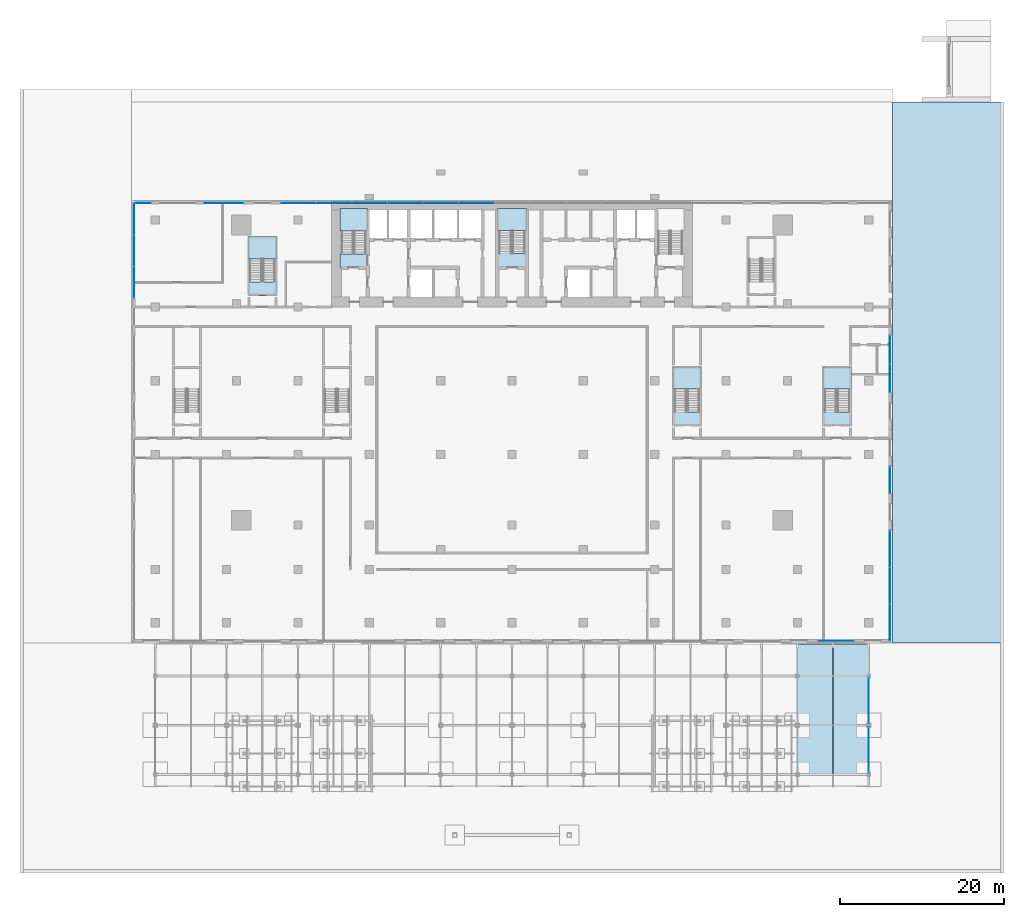
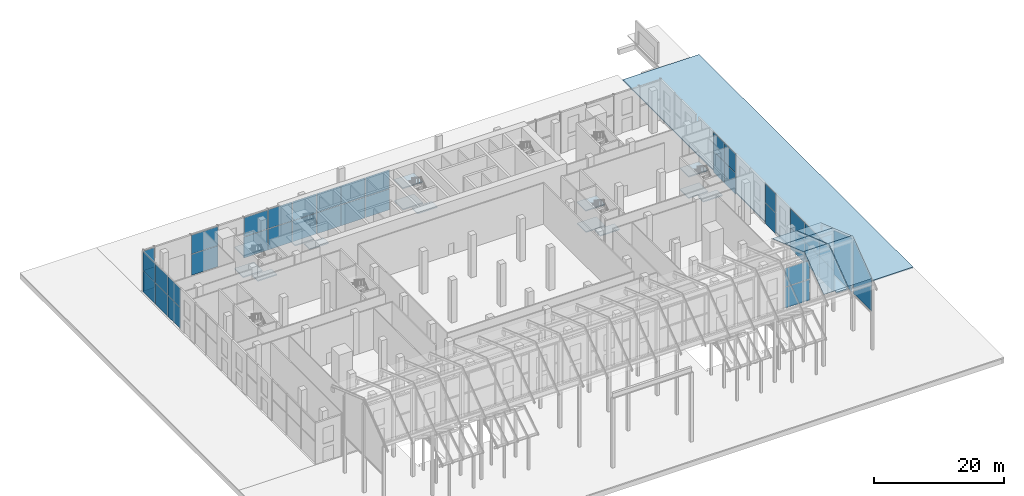
# One storey, part 19 of 31: 44 plates, 16 slabs, 13 elements without a shape of their own.
"""IFC4 building model written with IfcOpenShell, lengths in metres."""

from ifc_helpers import new_model, si_unit, direction, frame, origin, origin_2d, place, context, subcontext, project, spatial, polyline, rectangle, outline, extrude, material, layer, layer_set, layer_usage, type_object, element, aggregate, save


model = new_model("IFC4")

# Units and contexts
model_context = context("Model", 3, precision=1e-05, world=origin(), true_north=direction((0.0, 1.0)))
body_context = subcontext(model_context, "Body", "Model", "MODEL_VIEW")
ifc_project = project(units=[si_unit("LENGTHUNIT", "METRE"), si_unit("AREAUNIT", "SQUARE_METRE"), si_unit("VOLUMEUNIT", "CUBIC_METRE"), si_unit("PLANEANGLEUNIT", "RADIAN"), si_unit("MASSUNIT", "GRAM", prefix="KILO")], contexts=[model_context])

# Site, building, storey
site_placement = place(None, origin())
site = spatial("IfcSite", under=ifc_project, at=site_placement, CompositionType="ELEMENT")
building_placement = place(site_placement, origin())
building = spatial("IfcBuilding", under=site, at=building_placement, Name="Bicima Exchange Tower", CompositionType="ELEMENT")
storey_placement = place(building_placement, origin())
storey = spatial("IfcBuildingStorey", under=building, at=storey_placement, Name="L00", CompositionType="ELEMENT", Elevation=0.0)

# Slab
ifc_material_1 = material(Name="Granite paving", Category="masonry")
ifc_layer_1 = layer(ifc_material_1, 0.2)
ifc_layer_set_1 = layer_set([ifc_layer_1], Name="Granite paving")
ifc_layer_usage = layer_usage(ifc_layer_set_1, "AXIS3", "POSITIVE", 0.0)
slab_type_1 = type_object("IfcSlabType", Name="Granite paving 200", PredefinedType="USERDEFINED", material=ifc_layer_set_1)
slab_1_placement = place(storey_placement, frame((0.0, 0.0, -0.199951171875)))
element("IfcSlab", 1, at=slab_1_placement, inside=storey, type_object=slab_type_1, material=ifc_layer_usage, Name="Paving east", ObjectType="PAVING", PredefinedType="USERDEFINED", context=body_context, shape_type="SweptSolid", body=[
    extrude(outline(polyline([(60.0, -54.0), (60.0, 12.0), (46.39990234375, 12.0), (46.39990234375, -54.0), (60.0, -54.0)])), origin(), (0.0, 0.0, 1.0), 0.199951171875),
])

# Curtain wall, plates
ifc_material_2 = material(Name="Stainless steel", Category="steel")
curtain_wall_type_1 = type_object("IfcCurtainWallType", Name="Hall structural glazing", PredefinedType="NOTDEFINED", material=ifc_material_2)
curtain_wall_1_placement = place(storey_placement, origin())
curtain_wall_1 = element("IfcCurtainWall", 2, at=curtain_wall_1_placement, inside=storey, type_object=curtain_wall_type_1, Name="Podium glazing L00 south 20", PredefinedType="NOTDEFINED")
ifc_material_3 = material(Name="Clear low-iron glass", Category="glass")
ifc_layer_2 = layer(ifc_material_3, 0.0439453125)
ifc_layer_set_2 = layer_set([ifc_layer_2], Name="Clear low-iron glass")
plate_type_1 = type_object("IfcPlateType", Name="Hall structural glazing glass panel 44", PredefinedType="CURTAIN_PANEL", material=ifc_layer_set_2)
plate_1_placement = place(storey_placement, frame((39.5, -53.699951171875, 0.0), z_axis=(0.0, 0.0, 1.0), x_axis=(1.0, 0.0, 0.0)))
plate_1 = element("IfcPlate", 3, at=plate_1_placement, type_object=plate_type_1, Name="Hall structural glazing panel 1.1", PredefinedType="CURTAIN_PANEL", context=body_context, shape_type="SweptSolid", body=[
    extrude(rectangle(XDim=4.340087890625, YDim=0.0439453125, at=origin_2d()), origin(), (0.0, 0.0, 1.0), 3.89990234375),
])
plate_2_placement = place(storey_placement, frame((39.5, -53.699951171875, 4.0), z_axis=(0.0, 0.0, 1.0), x_axis=(1.0, 0.0, 0.0)))
plate_2 = element("IfcPlate", 4, at=plate_2_placement, type_object=plate_type_1, Name="Hall structural glazing panel 1.2", PredefinedType="CURTAIN_PANEL", context=body_context, shape_type="SweptSolid", body=[
    extrude(rectangle(XDim=4.340087890625, YDim=0.0439453125, at=origin_2d()), origin(), (0.0, 0.0, 1.0), 3.5),
])
aggregate(curtain_wall_1, [plate_1, plate_2])

ifc_material_4 = material(Name="Anodised bronze aluminium", Category="aluminium")
curtain_wall_type_2 = type_object("IfcCurtainWallType", Name="Lobby glazing", PredefinedType="NOTDEFINED", material=ifc_material_4)
curtain_wall_2_placement = place(storey_placement, origin())
curtain_wall_2 = element("IfcCurtainWall", 5, at=curtain_wall_2_placement, inside=storey, type_object=curtain_wall_type_2, Name="Podium glazing L00 east 1", PredefinedType="NOTDEFINED")
ifc_layer_3 = layer(ifc_material_3, 0.035888671875)
ifc_layer_set_3 = layer_set([ifc_layer_3], Name="Clear low-iron glass")
plate_type_2 = type_object("IfcPlateType", Name="Lobby glazing glass panel 36", PredefinedType="CURTAIN_PANEL", material=ifc_layer_set_3)
plate_3_placement = place(storey_placement, frame((46.10009765625, -51.438232421875, 0.0), z_axis=(0.0, 0.0, 1.0), x_axis=(0.0, 1.0, 0.0)))
plate_3 = element("IfcPlate", 6, at=plate_3_placement, type_object=plate_type_2, Name="Lobby glazing panel 1.1", PredefinedType="CURTAIN_PANEL", context=body_context, shape_type="SweptSolid", body=[
    extrude(rectangle(XDim=4.4033203125, YDim=0.035888671875, at=origin_2d()), origin(), (0.0, 0.0, 1.0), 3.929931640625),
])
plate_4_placement = place(storey_placement, frame((46.10009765625, -51.438232421875, 4.0), z_axis=(0.0, 0.0, 1.0), x_axis=(0.0, 1.0, 0.0)))
plate_4 = element("IfcPlate", 7, at=plate_4_placement, type_object=plate_type_2, Name="Lobby glazing panel 1.2", PredefinedType="CURTAIN_PANEL", context=body_context, shape_type="SweptSolid", body=[
    extrude(rectangle(XDim=4.4033203125, YDim=0.035888671875, at=origin_2d()), origin(), (0.0, 0.0, 1.0), 3.56005859375),
])
plate_5_placement = place(storey_placement, frame((46.10009765625, -46.97509765625, 0.0), z_axis=(0.0, 0.0, 1.0), x_axis=(0.0, 1.0, 0.0)))
plate_5 = element("IfcPlate", 8, at=plate_5_placement, type_object=plate_type_2, Name="Lobby glazing panel 2.1", PredefinedType="CURTAIN_PANEL", context=body_context, shape_type="SweptSolid", body=[
    extrude(rectangle(XDim=4.4033203125, YDim=0.035888671875, at=origin_2d()), origin(), (0.0, 0.0, 1.0), 3.929931640625),
])
plate_6_placement = place(storey_placement, frame((46.10009765625, -46.97509765625, 4.0), z_axis=(0.0, 0.0, 1.0), x_axis=(0.0, 1.0, 0.0)))
plate_6 = element("IfcPlate", 9, at=plate_6_placement, type_object=plate_type_2, Name="Lobby glazing panel 2.2", PredefinedType="CURTAIN_PANEL", context=body_context, shape_type="SweptSolid", body=[
    extrude(rectangle(XDim=4.4033203125, YDim=0.035888671875, at=origin_2d()), origin(), (0.0, 0.0, 1.0), 3.56005859375),
])
plate_7_placement = place(storey_placement, frame((46.10009765625, -42.51171875, 0.0), z_axis=(0.0, 0.0, 1.0), x_axis=(0.0, 1.0, 0.0)))
plate_7 = element("IfcPlate", 10, at=plate_7_placement, type_object=plate_type_2, Name="Lobby glazing panel 3.1", PredefinedType="CURTAIN_PANEL", context=body_context, shape_type="SweptSolid", body=[
    extrude(rectangle(XDim=4.4033203125, YDim=0.035888671875, at=origin_2d()), origin(), (0.0, 0.0, 1.0), 3.929931640625),
])
plate_8_placement = place(storey_placement, frame((46.10009765625, -42.51171875, 4.0), z_axis=(0.0, 0.0, 1.0), x_axis=(0.0, 1.0, 0.0)))
plate_8 = element("IfcPlate", 11, at=plate_8_placement, type_object=plate_type_2, Name="Lobby glazing panel 3.2", PredefinedType="CURTAIN_PANEL", context=body_context, shape_type="SweptSolid", body=[
    extrude(rectangle(XDim=4.4033203125, YDim=0.035888671875, at=origin_2d()), origin(), (0.0, 0.0, 1.0), 3.56005859375),
])
aggregate(curtain_wall_2, [plate_3, plate_4, plate_5, plate_6, plate_7, plate_8])

curtain_wall_3_placement = place(storey_placement, origin())
curtain_wall_3 = element("IfcCurtainWall", 12, at=curtain_wall_3_placement, inside=storey, type_object=curtain_wall_type_2, Name="Podium glazing L00 east 3", PredefinedType="NOTDEFINED")
plate_9_placement = place(storey_placement, frame((46.10009765625, -34.10009765625, 0.0), z_axis=(0.0, 0.0, 1.0), x_axis=(0.0, 1.0, 0.0)))
plate_9 = element("IfcPlate", 13, at=plate_9_placement, type_object=plate_type_2, Name="Lobby glazing panel 1.1", PredefinedType="CURTAIN_PANEL", context=body_context, shape_type="SweptSolid", body=[
    extrude(rectangle(XDim=3.179931640625, YDim=0.035888671875, at=origin_2d()), origin(), (0.0, 0.0, 1.0), 3.929931640625),
])
plate_10_placement = place(storey_placement, frame((46.10009765625, -34.10009765625, 4.0), z_axis=(0.0, 0.0, 1.0), x_axis=(0.0, 1.0, 0.0)))
plate_10 = element("IfcPlate", 14, at=plate_10_placement, type_object=plate_type_2, Name="Lobby glazing panel 1.2", PredefinedType="CURTAIN_PANEL", context=body_context, shape_type="SweptSolid", body=[
    extrude(rectangle(XDim=3.179931640625, YDim=0.035888671875, at=origin_2d()), origin(), (0.0, 0.0, 1.0), 3.56005859375),
])
aggregate(curtain_wall_3, [plate_9, plate_10])

curtain_wall_4_placement = place(storey_placement, origin())
curtain_wall_4 = element("IfcCurtainWall", 15, at=curtain_wall_4_placement, inside=storey, type_object=curtain_wall_type_2, Name="Podium glazing L00 east 6", PredefinedType="NOTDEFINED")
plate_11_placement = place(storey_placement, frame((46.10009765625, -21.68505859375, 0.0), z_axis=(0.0, 0.0, 1.0), x_axis=(0.0, 1.0, 0.0)))
plate_11 = element("IfcPlate", 16, at=plate_11_placement, type_object=plate_type_2, Name="Lobby glazing panel 1.1", PredefinedType="CURTAIN_PANEL", context=body_context, shape_type="SweptSolid", body=[
    extrude(rectangle(XDim=3.409912109375, YDim=0.035888671875, at=origin_2d()), origin(), (0.0, 0.0, 1.0), 3.929931640625),
])
plate_12_placement = place(storey_placement, frame((46.10009765625, -21.68505859375, 4.0), z_axis=(0.0, 0.0, 1.0), x_axis=(0.0, 1.0, 0.0)))
plate_12 = element("IfcPlate", 17, at=plate_12_placement, type_object=plate_type_2, Name="Lobby glazing panel 1.2", PredefinedType="CURTAIN_PANEL", context=body_context, shape_type="SweptSolid", body=[
    extrude(rectangle(XDim=3.409912109375, YDim=0.035888671875, at=origin_2d()), origin(), (0.0, 0.0, 1.0), 3.56005859375),
])
plate_13_placement = place(storey_placement, frame((46.10009765625, -18.215087890625, 0.0), z_axis=(0.0, 0.0, 1.0), x_axis=(0.0, 1.0, 0.0)))
plate_13 = element("IfcPlate", 18, at=plate_13_placement, type_object=plate_type_2, Name="Lobby glazing panel 2.1", PredefinedType="CURTAIN_PANEL", context=body_context, shape_type="SweptSolid", body=[
    extrude(rectangle(XDim=3.409912109375, YDim=0.035888671875, at=origin_2d()), origin(), (0.0, 0.0, 1.0), 3.929931640625),
])
plate_14_placement = place(storey_placement, frame((46.10009765625, -18.215087890625, 4.0), z_axis=(0.0, 0.0, 1.0), x_axis=(0.0, 1.0, 0.0)))
plate_14 = element("IfcPlate", 19, at=plate_14_placement, type_object=plate_type_2, Name="Lobby glazing panel 2.2", PredefinedType="CURTAIN_PANEL", context=body_context, shape_type="SweptSolid", body=[
    extrude(rectangle(XDim=3.409912109375, YDim=0.035888671875, at=origin_2d()), origin(), (0.0, 0.0, 1.0), 3.56005859375),
])
aggregate(curtain_wall_4, [plate_11, plate_12, plate_13, plate_14])

curtain_wall_5_placement = place(storey_placement, origin())
curtain_wall_5 = element("IfcCurtainWall", 20, at=curtain_wall_5_placement, inside=storey, type_object=curtain_wall_type_2, Name="Podium glazing L00 north 5", PredefinedType="NOTDEFINED")
plate_15_placement = place(storey_placement, frame((-4.333740234375, -0.300048828125, 0.0), z_axis=(0.0, 0.0, 1.0), x_axis=(-1.0, 0.0, 0.0)))
plate_15 = element("IfcPlate", 21, at=plate_15_placement, type_object=plate_type_2, Name="Lobby glazing panel 8.1", PredefinedType="CURTAIN_PANEL", context=body_context, shape_type="SweptSolid", body=[
    extrude(rectangle(XDim=4.273681640625, YDim=0.035888671875, at=origin_2d()), origin(), (0.0, 0.0, 1.0), 3.929931640625),
])
plate_16_placement = place(storey_placement, frame((-4.333740234375, -0.300048828125, 4.0), z_axis=(0.0, 0.0, 1.0), x_axis=(-1.0, 0.0, 0.0)))
plate_16 = element("IfcPlate", 22, at=plate_16_placement, type_object=plate_type_2, Name="Lobby glazing panel 8.2", PredefinedType="CURTAIN_PANEL", context=body_context, shape_type="SweptSolid", body=[
    extrude(rectangle(XDim=4.273681640625, YDim=0.035888671875, at=origin_2d()), origin(), (0.0, 0.0, 1.0), 3.56005859375),
])
plate_17_placement = place(storey_placement, frame((-8.667724609375, -0.300048828125, 0.0), z_axis=(0.0, 0.0, 1.0), x_axis=(-1.0, 0.0, 0.0)))
plate_17 = element("IfcPlate", 23, at=plate_17_placement, type_object=plate_type_2, Name="Lobby glazing panel 9.1", PredefinedType="CURTAIN_PANEL", context=body_context, shape_type="SweptSolid", body=[
    extrude(rectangle(XDim=4.273681640625, YDim=0.035888671875, at=origin_2d()), origin(), (0.0, 0.0, 1.0), 3.929931640625),
])
plate_18_placement = place(storey_placement, frame((-8.667724609375, -0.300048828125, 4.0), z_axis=(0.0, 0.0, 1.0), x_axis=(-1.0, 0.0, 0.0)))
plate_18 = element("IfcPlate", 24, at=plate_18_placement, type_object=plate_type_2, Name="Lobby glazing panel 9.2", PredefinedType="CURTAIN_PANEL", context=body_context, shape_type="SweptSolid", body=[
    extrude(rectangle(XDim=4.273681640625, YDim=0.035888671875, at=origin_2d()), origin(), (0.0, 0.0, 1.0), 3.56005859375),
])
plate_19_placement = place(storey_placement, frame((-13.00146484375, -0.300048828125, 0.0), z_axis=(0.0, 0.0, 1.0), x_axis=(-1.0, 0.0, 0.0)))
plate_19 = element("IfcPlate", 25, at=plate_19_placement, type_object=plate_type_2, Name="Lobby glazing panel 10.1", PredefinedType="CURTAIN_PANEL", context=body_context, shape_type="SweptSolid", body=[
    extrude(rectangle(XDim=4.273681640625, YDim=0.035888671875, at=origin_2d()), origin(), (0.0, 0.0, 1.0), 3.929931640625),
])
plate_20_placement = place(storey_placement, frame((-13.00146484375, -0.300048828125, 4.0), z_axis=(0.0, 0.0, 1.0), x_axis=(-1.0, 0.0, 0.0)))
plate_20 = element("IfcPlate", 26, at=plate_20_placement, type_object=plate_type_2, Name="Lobby glazing panel 10.2", PredefinedType="CURTAIN_PANEL", context=body_context, shape_type="SweptSolid", body=[
    extrude(rectangle(XDim=4.273681640625, YDim=0.035888671875, at=origin_2d()), origin(), (0.0, 0.0, 1.0), 3.56005859375),
])
plate_21_placement = place(storey_placement, frame((-17.33544921875, -0.300048828125, 0.0), z_axis=(0.0, 0.0, 1.0), x_axis=(-1.0, 0.0, 0.0)))
plate_21 = element("IfcPlate", 27, at=plate_21_placement, type_object=plate_type_2, Name="Lobby glazing panel 11.1", PredefinedType="CURTAIN_PANEL", context=body_context, shape_type="SweptSolid", body=[
    extrude(rectangle(XDim=4.273681640625, YDim=0.035888671875, at=origin_2d()), origin(), (0.0, 0.0, 1.0), 3.929931640625),
])
plate_22_placement = place(storey_placement, frame((-17.33544921875, -0.300048828125, 4.0), z_axis=(0.0, 0.0, 1.0), x_axis=(-1.0, 0.0, 0.0)))
plate_22 = element("IfcPlate", 28, at=plate_22_placement, type_object=plate_type_2, Name="Lobby glazing panel 11.2", PredefinedType="CURTAIN_PANEL", context=body_context, shape_type="SweptSolid", body=[
    extrude(rectangle(XDim=4.273681640625, YDim=0.035888671875, at=origin_2d()), origin(), (0.0, 0.0, 1.0), 3.56005859375),
])
plate_23_placement = place(storey_placement, frame((-21.669189453125, -0.300048828125, 0.0), z_axis=(0.0, 0.0, 1.0), x_axis=(-1.0, 0.0, 0.0)))
plate_23 = element("IfcPlate", 29, at=plate_23_placement, type_object=plate_type_2, Name="Lobby glazing panel 12.1", PredefinedType="CURTAIN_PANEL", context=body_context, shape_type="SweptSolid", body=[
    extrude(rectangle(XDim=4.273681640625, YDim=0.035888671875, at=origin_2d()), origin(), (0.0, 0.0, 1.0), 3.929931640625),
])
plate_24_placement = place(storey_placement, frame((-21.669189453125, -0.300048828125, 4.0), z_axis=(0.0, 0.0, 1.0), x_axis=(-1.0, 0.0, 0.0)))
plate_24 = element("IfcPlate", 30, at=plate_24_placement, type_object=plate_type_2, Name="Lobby glazing panel 12.2", PredefinedType="CURTAIN_PANEL", context=body_context, shape_type="SweptSolid", body=[
    extrude(rectangle(XDim=4.273681640625, YDim=0.035888671875, at=origin_2d()), origin(), (0.0, 0.0, 1.0), 3.56005859375),
])
plate_25_placement = place(storey_placement, frame((-26.003173828125, -0.300048828125, 0.0), z_axis=(0.0, 0.0, 1.0), x_axis=(-1.0, 0.0, 0.0)))
plate_25 = element("IfcPlate", 31, at=plate_25_placement, type_object=plate_type_2, Name="Lobby glazing panel 13.1", PredefinedType="CURTAIN_PANEL", context=body_context, shape_type="SweptSolid", body=[
    extrude(rectangle(XDim=4.273681640625, YDim=0.035888671875, at=origin_2d()), origin(), (0.0, 0.0, 1.0), 3.929931640625),
])
plate_26_placement = place(storey_placement, frame((-26.003173828125, -0.300048828125, 4.0), z_axis=(0.0, 0.0, 1.0), x_axis=(-1.0, 0.0, 0.0)))
plate_26 = element("IfcPlate", 32, at=plate_26_placement, type_object=plate_type_2, Name="Lobby glazing panel 13.2", PredefinedType="CURTAIN_PANEL", context=body_context, shape_type="SweptSolid", body=[
    extrude(rectangle(XDim=4.273681640625, YDim=0.035888671875, at=origin_2d()), origin(), (0.0, 0.0, 1.0), 3.56005859375),
])
aggregate(curtain_wall_5, [plate_15, plate_16, plate_17, plate_18, plate_19, plate_20, plate_21, plate_22, plate_23, plate_24, plate_25, plate_26])

curtain_wall_6_placement = place(storey_placement, origin())
curtain_wall_6 = element("IfcCurtainWall", 33, at=curtain_wall_6_placement, inside=storey, type_object=curtain_wall_type_2, Name="Podium glazing L00 north 7", PredefinedType="NOTDEFINED")
plate_27_placement = place(storey_placement, frame((-35.14990234375, -0.300048828125, 0.0), z_axis=(0.0, 0.0, 1.0), x_axis=(-1.0, 0.0, 0.0)))
plate_27 = element("IfcPlate", 34, at=plate_27_placement, type_object=plate_type_2, Name="Lobby glazing panel 1.1", PredefinedType="CURTAIN_PANEL", context=body_context, shape_type="SweptSolid", body=[
    extrude(rectangle(XDim=4.780029296875, YDim=0.035888671875, at=origin_2d()), origin(), (0.0, 0.0, 1.0), 3.929931640625),
])
plate_28_placement = place(storey_placement, frame((-35.14990234375, -0.300048828125, 4.0), z_axis=(0.0, 0.0, 1.0), x_axis=(-1.0, 0.0, 0.0)))
plate_28 = element("IfcPlate", 35, at=plate_28_placement, type_object=plate_type_2, Name="Lobby glazing panel 1.2", PredefinedType="CURTAIN_PANEL", context=body_context, shape_type="SweptSolid", body=[
    extrude(rectangle(XDim=4.780029296875, YDim=0.035888671875, at=origin_2d()), origin(), (0.0, 0.0, 1.0), 3.56005859375),
])
aggregate(curtain_wall_6, [plate_27, plate_28])

curtain_wall_7_placement = place(storey_placement, origin())
curtain_wall_7 = element("IfcCurtainWall", 36, at=curtain_wall_7_placement, inside=storey, type_object=curtain_wall_type_2, Name="Podium glazing L00 north 9", PredefinedType="NOTDEFINED")
plate_29_placement = place(storey_placement, frame((-45.0, -0.300048828125, 0.0), z_axis=(0.0, 0.0, 1.0), x_axis=(-1.0, 0.0, 0.0)))
plate_29 = element("IfcPlate", 37, at=plate_29_placement, type_object=plate_type_2, Name="Lobby glazing panel 1.1", PredefinedType="CURTAIN_PANEL", context=body_context, shape_type="SweptSolid", body=[
    extrude(rectangle(XDim=1.8798828125, YDim=0.035888671875, at=origin_2d()), origin(), (0.0, 0.0, 1.0), 3.929931640625),
])
plate_30_placement = place(storey_placement, frame((-45.0, -0.300048828125, 4.0), z_axis=(0.0, 0.0, 1.0), x_axis=(-1.0, 0.0, 0.0)))
plate_30 = element("IfcPlate", 38, at=plate_30_placement, type_object=plate_type_2, Name="Lobby glazing panel 1.2", PredefinedType="CURTAIN_PANEL", context=body_context, shape_type="SweptSolid", body=[
    extrude(rectangle(XDim=1.8798828125, YDim=0.035888671875, at=origin_2d()), origin(), (0.0, 0.0, 1.0), 3.56005859375),
])
aggregate(curtain_wall_7, [plate_29, plate_30])

curtain_wall_8_placement = place(storey_placement, origin())
curtain_wall_8 = element("IfcCurtainWall", 39, at=curtain_wall_8_placement, inside=storey, type_object=curtain_wall_type_2, Name="Podium glazing L00 west 1", PredefinedType="NOTDEFINED")
plate_31_placement = place(storey_placement, frame((-46.10009765625, -2.26171875, 0.0), z_axis=(0.0, 0.0, 1.0), x_axis=(0.0, -1.0, 0.0)))
plate_31 = element("IfcPlate", 40, at=plate_31_placement, type_object=plate_type_2, Name="Lobby glazing panel 1.1", PredefinedType="CURTAIN_PANEL", context=body_context, shape_type="SweptSolid", body=[
    extrude(rectangle(XDim=3.80322265625, YDim=0.035888671875, at=origin_2d()), origin(), (0.0, 0.0, 1.0), 3.929931640625),
])
plate_32_placement = place(storey_placement, frame((-46.10009765625, -2.26171875, 4.0), z_axis=(0.0, 0.0, 1.0), x_axis=(0.0, -1.0, 0.0)))
plate_32 = element("IfcPlate", 41, at=plate_32_placement, type_object=plate_type_2, Name="Lobby glazing panel 1.2", PredefinedType="CURTAIN_PANEL", context=body_context, shape_type="SweptSolid", body=[
    extrude(rectangle(XDim=3.80322265625, YDim=0.035888671875, at=origin_2d()), origin(), (0.0, 0.0, 1.0), 3.56005859375),
])
plate_33_placement = place(storey_placement, frame((-46.10009765625, -6.125, 0.0), z_axis=(0.0, 0.0, 1.0), x_axis=(0.0, -1.0, 0.0)))
plate_33 = element("IfcPlate", 42, at=plate_33_placement, type_object=plate_type_2, Name="Lobby glazing panel 2.1", PredefinedType="CURTAIN_PANEL", context=body_context, shape_type="SweptSolid", body=[
    extrude(rectangle(XDim=3.80322265625, YDim=0.035888671875, at=origin_2d()), origin(), (0.0, 0.0, 1.0), 3.929931640625),
])
plate_34_placement = place(storey_placement, frame((-46.10009765625, -6.125, 4.0), z_axis=(0.0, 0.0, 1.0), x_axis=(0.0, -1.0, 0.0)))
plate_34 = element("IfcPlate", 43, at=plate_34_placement, type_object=plate_type_2, Name="Lobby glazing panel 2.2", PredefinedType="CURTAIN_PANEL", context=body_context, shape_type="SweptSolid", body=[
    extrude(rectangle(XDim=3.80322265625, YDim=0.035888671875, at=origin_2d()), origin(), (0.0, 0.0, 1.0), 3.56005859375),
])
plate_35_placement = place(storey_placement, frame((-46.10009765625, -9.98828125, 0.0), z_axis=(0.0, 0.0, 1.0), x_axis=(0.0, -1.0, 0.0)))
plate_35 = element("IfcPlate", 44, at=plate_35_placement, type_object=plate_type_2, Name="Lobby glazing panel 3.1", PredefinedType="CURTAIN_PANEL", context=body_context, shape_type="SweptSolid", body=[
    extrude(rectangle(XDim=3.80322265625, YDim=0.035888671875, at=origin_2d()), origin(), (0.0, 0.0, 1.0), 3.929931640625),
])
plate_36_placement = place(storey_placement, frame((-46.10009765625, -9.98828125, 4.0), z_axis=(0.0, 0.0, 1.0), x_axis=(0.0, -1.0, 0.0)))
plate_36 = element("IfcPlate", 45, at=plate_36_placement, type_object=plate_type_2, Name="Lobby glazing panel 3.2", PredefinedType="CURTAIN_PANEL", context=body_context, shape_type="SweptSolid", body=[
    extrude(rectangle(XDim=3.80322265625, YDim=0.035888671875, at=origin_2d()), origin(), (0.0, 0.0, 1.0), 3.56005859375),
])
aggregate(curtain_wall_8, [plate_31, plate_32, plate_33, plate_34, plate_35, plate_36])

# Plates
ifc_material_5 = material(Name="Bronze tinted glass", Category="glass")
ifc_layer_4 = layer(ifc_material_5, 0.035888671875)
ifc_layer_set_4 = layer_set([ifc_layer_4], Name="Bronze tinted glass")
plate_type_3 = type_object("IfcPlateType", Name="Portico roof glass 36", PredefinedType="SHEET", material=ifc_layer_set_4)
plate_37_placement = place(storey_placement, frame((34.840087890625, -54.10009765625, 14.251708984375), z_axis=(0.0, 0.329091475255, 0.944298046654), x_axis=(1.0, 0.0, 0.0)))
element("IfcPlate", 46, at=plate_37_placement, inside=storey, type_object=plate_type_3, Name="Portico roof glass", PredefinedType="SHEET", context=body_context, shape_type="SweptSolid", body=[
    extrude(outline(polyline([(0.0, 0.0), (4.27001953125, 0.0), (4.27001953125, -4.129948544920647), (0.0, -4.129948544920647), (0.0, 0.0)])), origin(), (0.0, 0.0, -1.0), 0.035888671875),
])
plate_38_placement = place(storey_placement, frame((34.840087890625, -58.0, 15.61083984375), z_axis=(0.0, 0.329165826501, 0.944272131678), x_axis=(1.0, 0.0, 0.0)))
element("IfcPlate", 47, at=plate_38_placement, inside=storey, type_object=plate_type_3, Name="Portico roof glass", PredefinedType="SHEET", context=body_context, shape_type="SweptSolid", body=[
    extrude(outline(polyline([(0.0, 0.0), (4.27001953125, 0.0), (4.27001953125, -6.3541004745496075), (0.0, -6.3541004745496075), (0.0, 0.0)])), origin(), (0.0, 0.0, -1.0), 0.035888671875),
])
plate_39_placement = place(storey_placement, frame((34.840087890625, -64.0, 17.82568359375), z_axis=(0.0, -0.598685075309, 0.800984507093), x_axis=(1.0, 0.0, 0.0)))
element("IfcPlate", 48, at=plate_39_placement, inside=storey, type_object=plate_type_3, Name="Portico roof glass", PredefinedType="SHEET", context=body_context, shape_type="SweptSolid", body=[
    extrude(outline(polyline([(0.0, 0.0), (4.27001953125, 0.0), (4.27001953125, -7.490781590492418), (0.0, -7.490781590492418), (0.0, 0.0)])), origin(), (0.0, 0.0, -1.0), 0.035888671875),
])
plate_40_placement = place(storey_placement, frame((39.18994140625, -54.10009765625, 14.251708984375), z_axis=(0.0, 0.329091475255, 0.944298046654), x_axis=(1.0, 0.0, 0.0)))
element("IfcPlate", 49, at=plate_40_placement, inside=storey, type_object=plate_type_3, Name="Portico roof glass", PredefinedType="SHEET", context=body_context, shape_type="SweptSolid", body=[
    extrude(outline(polyline([(0.0, 0.0), (4.27001953125, 0.0), (4.27001953125, -4.129948544920647), (0.0, -4.129948544920647), (0.0, 0.0)])), origin(), (0.0, 0.0, -1.0), 0.035888671875),
])
plate_41_placement = place(storey_placement, frame((39.18994140625, -58.0, 15.61083984375), z_axis=(0.0, 0.329165826501, 0.944272131678), x_axis=(1.0, 0.0, 0.0)))
element("IfcPlate", 50, at=plate_41_placement, inside=storey, type_object=plate_type_3, Name="Portico roof glass", PredefinedType="SHEET", context=body_context, shape_type="SweptSolid", body=[
    extrude(outline(polyline([(0.0, 0.0), (4.27001953125, 0.0), (4.27001953125, -6.3541004745496075), (0.0, -6.3541004745496075), (0.0, 0.0)])), origin(), (0.0, 0.0, -1.0), 0.035888671875),
])
plate_42_placement = place(storey_placement, frame((39.18994140625, -64.0, 17.82568359375), z_axis=(0.0, -0.598685075309, 0.800984507093), x_axis=(1.0, 0.0, 0.0)))
element("IfcPlate", 51, at=plate_42_placement, inside=storey, type_object=plate_type_3, Name="Portico roof glass", PredefinedType="SHEET", context=body_context, shape_type="SweptSolid", body=[
    extrude(outline(polyline([(0.0, 0.0), (4.27001953125, 0.0), (4.27001953125, -7.490781590492418), (0.0, -7.490781590492418), (0.0, 0.0)])), origin(), (0.0, 0.0, -1.0), 0.035888671875),
])
plate_43_placement = place(storey_placement, frame((43.48193359375, -58.203125, 7.0), z_axis=(-1.0, 0.0, 0.0), x_axis=(0.0, -1.0, 0.0)))
element("IfcPlate", 52, at=plate_43_placement, inside=storey, type_object=plate_type_3, Name="Portico gable glass", PredefinedType="SHEET", context=body_context, shape_type="SweptSolid", body=[
    extrude(outline(polyline([(0.0, 0.0), (5.54296875, 0.0), (5.54296875, 10.148681640625), (0.0, 8.216796875), (0.0, 0.0)])), origin(), (0.0, 0.0, -1.0), 0.035888671875),
])
plate_44_placement = place(storey_placement, frame((43.48193359375, -64.25390625, 7.0), z_axis=(-1.0, 0.0, 0.0), x_axis=(0.0, -1.0, 0.0)))
element("IfcPlate", 53, at=plate_44_placement, inside=storey, type_object=plate_type_3, Name="Portico gable glass", PredefinedType="SHEET", context=body_context, shape_type="SweptSolid", body=[
    extrude(outline(polyline([(0.0, 0.0), (5.54296875, 0.0), (5.54296875, 5.9482421875), (0.0, 10.09130859375), (0.0, 0.0)])), origin(), (0.0, 0.0, -1.0), 0.035888671875),
])

# Stair, slabs
ifc_material_6 = material(Name="Concrete C50/60", Category="concrete")
stair_type_1 = type_object("IfcStairType", Name="Exit stair", PredefinedType="HALF_TURN_STAIR", material=ifc_material_6)
stair_1_placement = place(storey_placement, origin())
stair_1 = element("IfcStair", 54, at=stair_1_placement, inside=storey, type_object=stair_type_1, Name="L00 West exit stair", PredefinedType="HALF_TURN_STAIR")
ifc_layer_5 = layer(ifc_material_6, 0.199951171875)
ifc_layer_set_5 = layer_set([ifc_layer_5], Name="Concrete C50/60")
slab_type_2 = type_object("IfcSlabType", Name="Stair landing slab", PredefinedType="LANDING", material=ifc_layer_set_5)
slab_2_placement = place(storey_placement, frame((0.0, 0.0, 1.800048828125)))
slab_2 = element("IfcSlab", 55, at=slab_2_placement, type_object=slab_type_2, Name="ST-W landing 1", PredefinedType="LANDING", context=body_context, shape_type="SweptSolid", body=[
    extrude(outline(polyline([(-17.60009765625, -3.75), (-17.60009765625, -1.0), (-21.0, -1.0), (-21.0, -3.75), (-17.60009765625, -3.75)])), origin(), (0.0, 0.0, 1.0), 0.199951171875),
])
slab_3_placement = place(storey_placement, frame((0.0, 0.0, 3.800048828125)))
slab_3 = element("IfcSlab", 56, at=slab_3_placement, type_object=slab_type_2, Name="ST-W landing 2", PredefinedType="LANDING", context=body_context, shape_type="SweptSolid", body=[
    extrude(outline(polyline([(-17.60009765625, -8.199951171875), (-17.60009765625, -6.550048828125), (-21.0, -6.550048828125), (-21.0, -8.199951171875), (-17.60009765625, -8.199951171875)])), origin(), (0.0, 0.0, 1.0), 0.199951171875),
])
slab_4_placement = place(storey_placement, frame((0.0, 0.0, 5.800048828125)))
slab_4 = element("IfcSlab", 57, at=slab_4_placement, type_object=slab_type_2, Name="ST-W landing 3", PredefinedType="LANDING", context=body_context, shape_type="SweptSolid", body=[
    extrude(outline(polyline([(-17.60009765625, -3.75), (-17.60009765625, -1.0), (-21.0, -1.0), (-21.0, -3.75), (-17.60009765625, -3.75)])), origin(), (0.0, 0.0, 1.0), 0.199951171875),
])
aggregate(stair_1, [slab_2, slab_3, slab_4])

stair_type_2 = type_object("IfcStairType", Name="Exit stair 1500", PredefinedType="HALF_TURN_STAIR", material=ifc_material_6)
stair_2_placement = place(storey_placement, origin())
stair_2 = element("IfcStair", 58, at=stair_2_placement, inside=storey, type_object=stair_type_2, Name="L00 Central exit stair", PredefinedType="HALF_TURN_STAIR")
slab_5_placement = place(storey_placement, frame((0.0, 0.0, 1.800048828125)))
slab_5 = element("IfcSlab", 59, at=slab_5_placement, type_object=slab_type_2, Name="ST-C landing 1", PredefinedType="LANDING", context=body_context, shape_type="SweptSolid", body=[
    extrude(outline(polyline([(1.77490234375, -3.699951171875), (1.77490234375, -1.0), (-1.77490234375, -1.0), (-1.77490234375, -3.699951171875), (1.77490234375, -3.699951171875)])), origin(), (0.0, 0.0, 1.0), 0.199951171875),
])
slab_6_placement = place(storey_placement, frame((0.0, 0.0, 3.800048828125)))
slab_6 = element("IfcSlab", 60, at=slab_6_placement, type_object=slab_type_2, Name="ST-C landing 2", PredefinedType="LANDING", context=body_context, shape_type="SweptSolid", body=[
    extrude(outline(polyline([(1.77490234375, -8.199951171875), (1.77490234375, -6.5), (-1.77490234375, -6.5), (-1.77490234375, -8.199951171875), (1.77490234375, -8.199951171875)])), origin(), (0.0, 0.0, 1.0), 0.199951171875),
])
slab_7_placement = place(storey_placement, frame((0.0, 0.0, 5.800048828125)))
slab_7 = element("IfcSlab", 61, at=slab_7_placement, type_object=slab_type_2, Name="ST-C landing 3", PredefinedType="LANDING", context=body_context, shape_type="SweptSolid", body=[
    extrude(outline(polyline([(1.77490234375, -3.699951171875), (1.77490234375, -1.0), (-1.77490234375, -1.0), (-1.77490234375, -3.699951171875), (1.77490234375, -3.699951171875)])), origin(), (0.0, 0.0, 1.0), 0.199951171875),
])
aggregate(stair_2, [slab_5, slab_6, slab_7])

stair_3_placement = place(storey_placement, origin())
stair_3 = element("IfcStair", 62, at=stair_3_placement, inside=storey, type_object=stair_type_1, Name="L00 West end exit stair", PredefinedType="HALF_TURN_STAIR")
slab_8_placement = place(storey_placement, frame((0.0, 0.0, 1.800048828125)))
slab_8 = element("IfcSlab", 63, at=slab_8_placement, type_object=slab_type_2, Name="ST-WW landing 1", PredefinedType="LANDING", context=body_context, shape_type="SweptSolid", body=[
    extrude(outline(polyline([(-28.72509765625, -7.125), (-28.72509765625, -4.425048828125), (-32.175048828125, -4.425048828125), (-32.175048828125, -7.125), (-28.72509765625, -7.125)])), origin(), (0.0, 0.0, 1.0), 0.199951171875),
])
slab_9_placement = place(storey_placement, frame((0.0, 0.0, 3.800048828125)))
slab_9 = element("IfcSlab", 64, at=slab_9_placement, type_object=slab_type_2, Name="ST-WW landing 2", PredefinedType="LANDING", context=body_context, shape_type="SweptSolid", body=[
    extrude(outline(polyline([(-28.72509765625, -11.574951171875), (-28.72509765625, -9.925048828125), (-32.175048828125, -9.925048828125), (-32.175048828125, -11.574951171875), (-28.72509765625, -11.574951171875)])), origin(), (0.0, 0.0, 1.0), 0.199951171875),
])
slab_10_placement = place(storey_placement, frame((0.0, 0.0, 5.800048828125)))
slab_10 = element("IfcSlab", 65, at=slab_10_placement, type_object=slab_type_2, Name="ST-WW landing 3", PredefinedType="LANDING", context=body_context, shape_type="SweptSolid", body=[
    extrude(outline(polyline([(-28.72509765625, -7.125), (-28.72509765625, -4.425048828125), (-32.175048828125, -4.425048828125), (-32.175048828125, -7.125), (-28.72509765625, -7.125)])), origin(), (0.0, 0.0, 1.0), 0.199951171875),
])
aggregate(stair_3, [slab_8, slab_9, slab_10])

stair_4_placement = place(storey_placement, origin())
stair_4 = element("IfcStair", 66, at=stair_4_placement, inside=storey, type_object=stair_type_1, Name="L00 Podium inner east stair", PredefinedType="HALF_TURN_STAIR")
slab_11_placement = place(storey_placement, frame((0.0, 0.0, 1.800048828125)))
slab_11 = element("IfcSlab", 67, at=slab_11_placement, type_object=slab_type_2, Name="PS-EI landing 1", PredefinedType="LANDING", context=body_context, shape_type="SweptSolid", body=[
    extrude(outline(polyline([(23.074951171875, -23.02490234375), (23.074951171875, -20.324951171875), (19.625, -20.324951171875), (19.625, -23.02490234375), (23.074951171875, -23.02490234375)])), origin(), (0.0, 0.0, 1.0), 0.199951171875),
])
slab_12_placement = place(storey_placement, frame((0.0, 0.0, 3.800048828125)))
slab_12 = element("IfcSlab", 68, at=slab_12_placement, type_object=slab_type_2, Name="PS-EI landing 2", PredefinedType="LANDING", context=body_context, shape_type="SweptSolid", body=[
    extrude(outline(polyline([(23.074951171875, -27.47509765625), (23.074951171875, -25.824951171875), (19.625, -25.824951171875), (19.625, -27.47509765625), (23.074951171875, -27.47509765625)])), origin(), (0.0, 0.0, 1.0), 0.199951171875),
])
slab_13_placement = place(storey_placement, frame((0.0, 0.0, 5.800048828125)))
slab_13 = element("IfcSlab", 69, at=slab_13_placement, type_object=slab_type_2, Name="PS-EI landing 3", PredefinedType="LANDING", context=body_context, shape_type="SweptSolid", body=[
    extrude(outline(polyline([(23.074951171875, -23.02490234375), (23.074951171875, -20.324951171875), (19.625, -20.324951171875), (19.625, -23.02490234375), (23.074951171875, -23.02490234375)])), origin(), (0.0, 0.0, 1.0), 0.199951171875),
])
aggregate(stair_4, [slab_11, slab_12, slab_13])

stair_5_placement = place(storey_placement, origin())
stair_5 = element("IfcStair", 70, at=stair_5_placement, inside=storey, type_object=stair_type_1, Name="L00 Podium east stair", PredefinedType="HALF_TURN_STAIR")
slab_14_placement = place(storey_placement, frame((0.0, 0.0, 1.800048828125)))
slab_14 = element("IfcSlab", 71, at=slab_14_placement, type_object=slab_type_2, Name="PS-E landing 1", PredefinedType="LANDING", context=body_context, shape_type="SweptSolid", body=[
    extrude(outline(polyline([(41.375, -23.02490234375), (41.375, -20.324951171875), (37.925048828125, -20.324951171875), (37.925048828125, -23.02490234375), (41.375, -23.02490234375)])), origin(), (0.0, 0.0, 1.0), 0.199951171875),
])
slab_15_placement = place(storey_placement, frame((0.0, 0.0, 3.800048828125)))
slab_15 = element("IfcSlab", 72, at=slab_15_placement, type_object=slab_type_2, Name="PS-E landing 2", PredefinedType="LANDING", context=body_context, shape_type="SweptSolid", body=[
    extrude(outline(polyline([(41.375, -27.47509765625), (41.375, -25.824951171875), (37.925048828125, -25.824951171875), (37.925048828125, -27.47509765625), (41.375, -27.47509765625)])), origin(), (0.0, 0.0, 1.0), 0.199951171875),
])
slab_16_placement = place(storey_placement, frame((0.0, 0.0, 5.800048828125)))
slab_16 = element("IfcSlab", 73, at=slab_16_placement, type_object=slab_type_2, Name="PS-E landing 3", PredefinedType="LANDING", context=body_context, shape_type="SweptSolid", body=[
    extrude(outline(polyline([(41.375, -23.02490234375), (41.375, -20.324951171875), (37.925048828125, -20.324951171875), (37.925048828125, -23.02490234375), (41.375, -23.02490234375)])), origin(), (0.0, 0.0, 1.0), 0.199951171875),
])
aggregate(stair_5, [slab_14, slab_15, slab_16])

save(model, "model.ifc")
